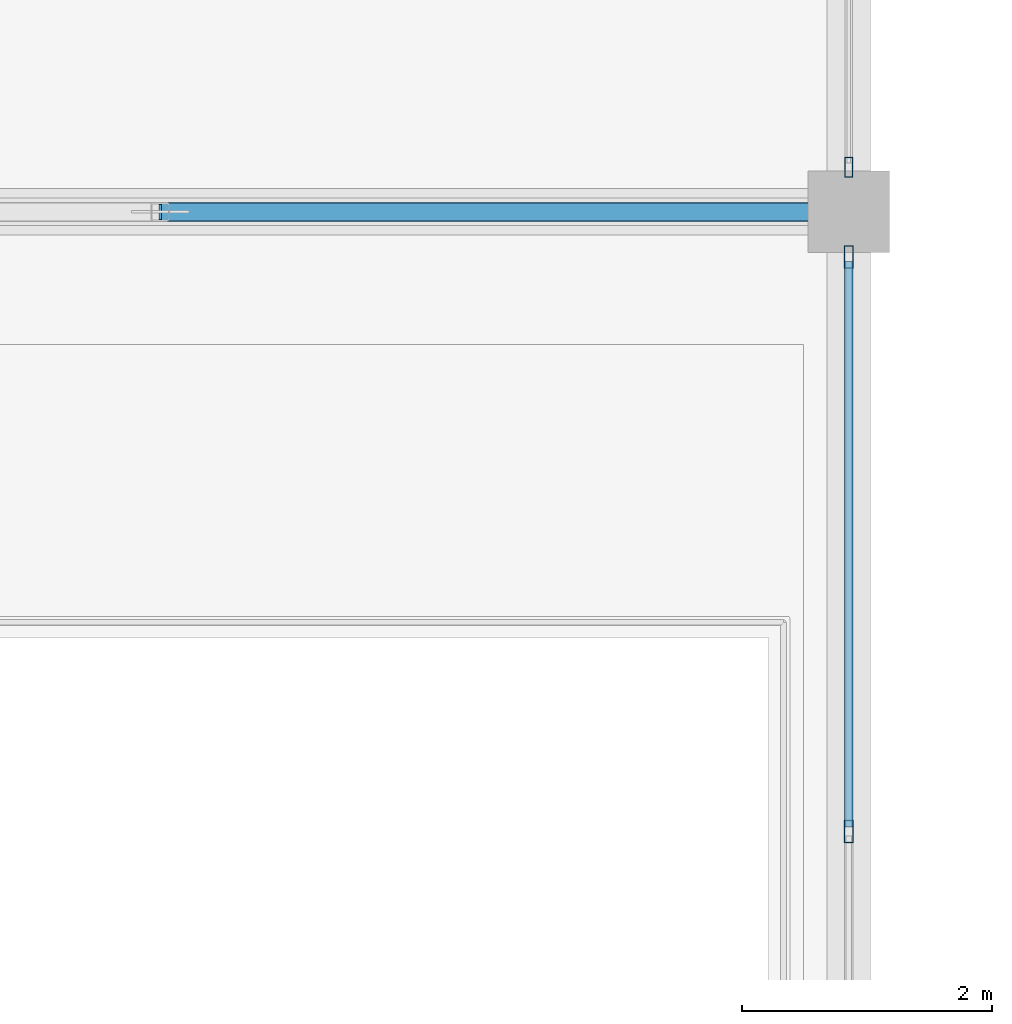
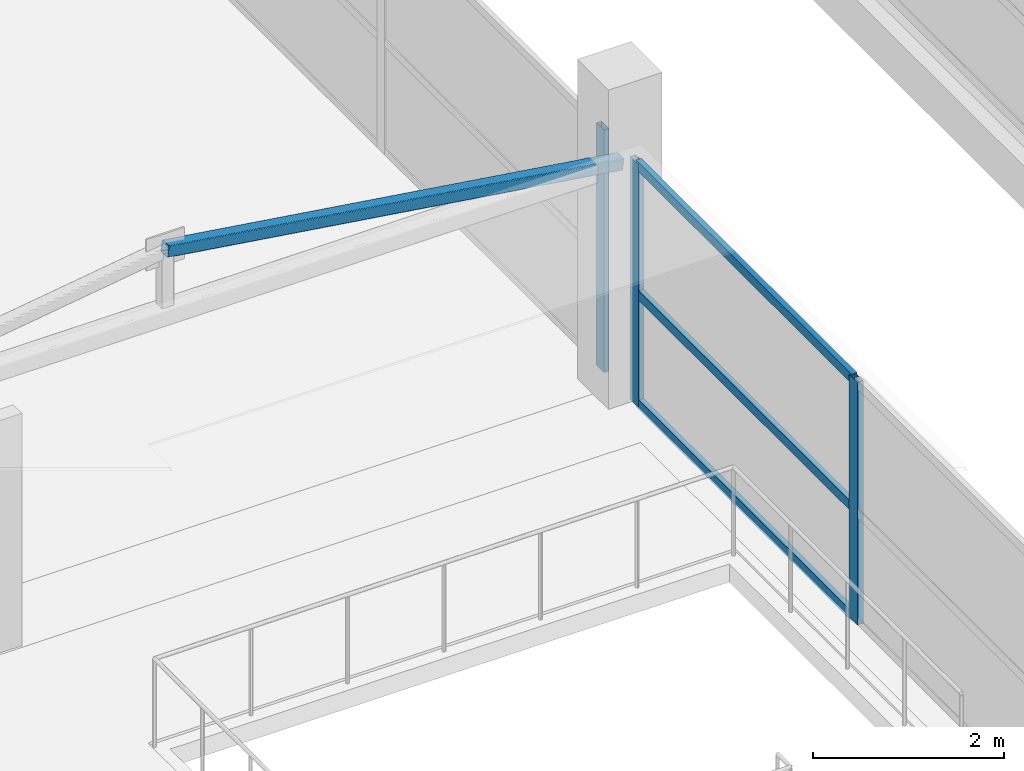
# One storey, part 25 of 66: 7 members, 2 elements without a shape of their own.
"""IFC4 building model written with IfcOpenShell, lengths in metres."""

import ifcopenshell
import ifcopenshell.guid

model = None  # the IFC model being written
_history = None  # IfcOwnerHistory: only IFC2X3 demands one
_inside = {}  # id of a spatial element -> (the spatial element, [elements in it])
_under = {}  # id of a project, library or spatial element -> (it, [spatial elements below it])
_declared = {}  # id of a project -> (the project, [libraries it declares])
_typed = {}  # id of a type object -> (the type object, [elements of that type])
_made_of = {}  # id of a material, layer set ... -> (it, [elements and type objects made of it])


def new_model(schema):
    """Start an empty IFC model of exactly this schema.

    Asked for "IFC4X3", IfcOpenShell would pick the latest addendum, in which some entities
    have other attributes; the version numbers below select the first issue.
    IFC2X3 requires an IfcOwnerHistory on every rooted entity: one is made here for all.
    """
    global model, _history
    if schema == "IFC4X3":
        model = ifcopenshell.file(schema_version=(4, 3, 0, 0))
    else:
        model = ifcopenshell.file(schema=schema)
    _inside.clear()
    _under.clear()
    _declared.clear()
    _typed.clear()
    _made_of.clear()
    _history = None
    if model.schema == "IFC2X3":
        org = make("IfcOrganization", Name="unknown")
        user = make(
            "IfcPersonAndOrganization",
            ThePerson=make("IfcPerson", FamilyName="unknown"),
            TheOrganization=org,
        )
        app = make(
            "IfcApplication",
            ApplicationDeveloper=org,
            Version="unknown",
            ApplicationFullName="unknown",
            ApplicationIdentifier="unknown",
        )
        _history = make(
            "IfcOwnerHistory",
            OwningUser=user,
            OwningApplication=app,
            ChangeAction="ADDED",
            CreationDate=0,
        )
    return model


def make(cls, **values):
    """One entity of the class cls with the attributes given. An attribute that is None is left unset."""
    return model.create_entity(
        cls, **{name: value for name, value in values.items() if value is not None}
    )


def rooted(cls, **values):
    """An entity with a GlobalId (a new one), such as an element, a storey or a relation."""
    return make(cls, GlobalId=ifcopenshell.guid.new(), OwnerHistory=_history, **values)


def si_unit(unit_type, name, prefix=None):
    """IfcSIUnit, for example si_unit("LENGTHUNIT", "METRE", prefix="MILLI")."""
    return make("IfcSIUnit", UnitType=unit_type, Prefix=prefix, Name=name)


def assignment(units):
    """IfcUnitAssignment: the units of a project."""
    return None if units is None else make("IfcUnitAssignment", Units=units)


def point(xyz):
    """IfcCartesianPoint."""
    return None if xyz is None else make("IfcCartesianPoint", Coordinates=xyz)


def direction(xyz):
    """IfcDirection."""
    return None if xyz is None else make("IfcDirection", DirectionRatios=xyz)


def frame(location, z_axis=None, x_axis=None):
    """IfcAxis2Placement3D, a coordinate frame: its origin and axes. An axis left out is left unset."""
    return make(
        "IfcAxis2Placement3D",
        Location=point(location),
        Axis=direction(z_axis),
        RefDirection=direction(x_axis),
    )


def frame_2d(location, x_axis=None):
    """IfcAxis2Placement2D, a coordinate frame in the plane: its origin and x axis."""
    return make(
        "IfcAxis2Placement2D", Location=point(location), RefDirection=direction(x_axis)
    )


def origin():
    """The frame at (0, 0, 0) with its axes left unset."""
    return frame((0.0, 0.0, 0.0))


def origin_2d():
    """The frame at (0, 0) in the plane with its x axis left unset."""
    return frame_2d((0.0, 0.0))


def place(relative_to, where):
    """IfcLocalPlacement: puts the frame where relative to a parent placement (None: the world)."""
    return make(
        "IfcLocalPlacement", PlacementRelTo=relative_to, RelativePlacement=where
    )


def context(
    kind, dimensions, precision=None, world=None, true_north=None, identifier=None
):
    """IfcGeometricRepresentationContext, for example the 3D "Model" context."""
    return make(
        "IfcGeometricRepresentationContext",
        ContextIdentifier=identifier,
        ContextType=kind,
        CoordinateSpaceDimension=dimensions,
        Precision=precision,
        WorldCoordinateSystem=world,
        TrueNorth=true_north,
    )


def subcontext(parent, identifier, kind, view, scale=None):
    """IfcGeometricRepresentationSubContext, for example "Body" below "Model"."""
    return make(
        "IfcGeometricRepresentationSubContext",
        ContextIdentifier=identifier,
        ContextType=kind,
        ParentContext=parent,
        TargetScale=scale,
        TargetView=view,
    )


def project(units=None, contexts=None):
    """IfcProject with its units and contexts."""
    return rooted(
        "IfcProject",
        Name="project",
        RepresentationContexts=contexts,
        UnitsInContext=assignment(units),
    )


def spatial(cls, under=None, at=None, **own):
    """A site, building, storey or space (cls), placed at a placement, below another one or the project."""
    s = rooted(cls, ObjectPlacement=at, **own)
    if under is not None:
        _under.setdefault(under.id(), (under, []))[1].append(s)
    return s


def profile(cls, at=None, kind="AREA", **sizes):
    """A parametric profile (cls). Its sizes go by their IFC names, for example OverallWidth=200.0."""
    return make(cls, ProfileType=kind, Position=at, **sizes)


def hollow_rectangle(**sizes):
    """IfcRectangleHollowProfileDef."""
    return profile("IfcRectangleHollowProfileDef", **sizes)


def extrude(swept, where, along, depth):
    """IfcExtrudedAreaSolid: the profile swept, set in the frame where, extruded along a direction by depth."""
    return make(
        "IfcExtrudedAreaSolid",
        SweptArea=swept,
        Position=where,
        ExtrudedDirection=direction(along),
        Depth=depth,
    )


def shape(context_of_items, identifier, shape_type, items):
    """IfcShapeRepresentation: the items that make up one representation, for example the "Body"."""
    return make(
        "IfcShapeRepresentation",
        ContextOfItems=context_of_items,
        RepresentationIdentifier=identifier,
        RepresentationType=shape_type,
        Items=items,
    )


def material(Name=None, Category=None):
    """IfcMaterial."""
    return make("IfcMaterial", Name=Name, Category=Category)


def layer(
    of_material, thickness, ventilated=None, Name=None, Category=None, Priority=None
):
    """IfcMaterialLayer: one layer of a wall or slab, of a material (None: an air gap)."""
    return make(
        "IfcMaterialLayer",
        Material=of_material,
        LayerThickness=thickness,
        IsVentilated=ventilated,
        Name=Name,
        Category=Category,
        Priority=Priority,
    )


def layer_set(layers, Name=None):
    """IfcMaterialLayerSet."""
    return make("IfcMaterialLayerSet", MaterialLayers=layers, LayerSetName=Name)


def material_profile(
    of_material, cross_section, Name=None, Category=None, Priority=None
):
    """IfcMaterialProfile: a cross section and its material."""
    return make(
        "IfcMaterialProfile",
        Name=Name,
        Material=of_material,
        Profile=cross_section,
        Priority=Priority,
        Category=Category,
    )


def profile_set(profiles, Name=None, composite=None):
    """IfcMaterialProfileSet."""
    return make(
        "IfcMaterialProfileSet",
        Name=Name,
        MaterialProfiles=profiles,
        CompositeProfile=composite,
    )


def made_of(thing, what):
    """Note that an element or type object is made of a material, layer set ...; save() writes the relation."""
    if what is not None:
        _made_of.setdefault(what.id(), (what, []))[1].append(thing)
    return thing


def type_object(cls, material=None, **own):
    """A type object (cls), such as IfcWallType, which elements share."""
    return made_of(rooted(cls, **own), material)


def element(
    cls,
    number,
    at=None,
    inside=None,
    cuts=None,
    type_object=None,
    material=None,
    context=None,
    identifier="Body",
    shape_type=None,
    held_by="IfcProductDefinitionShape",
    body=None,
    shapes=None,
    **own,
):
    """One element of the class cls, such as IfcWall. Its Tag is "e" and its number.

    at: its placement. inside: the storey or other place that contains it. cuts: it is an
    opening in that element (IfcRelVoidsElement). A single representation is given by context,
    identifier, shape_type and body (its items); several are given by shapes. held_by: the class
    of the entity that holds the representations. save() writes the other relations.
    """
    e = rooted(cls, Tag="e%d" % number, ObjectPlacement=at, **own)
    if body is not None:
        shapes = [shape(context, identifier, shape_type, body)]
    if shapes is not None:
        e.Representation = make(held_by, Representations=shapes)
    if inside is not None:
        _inside.setdefault(inside.id(), (inside, []))[1].append(e)
    if cuts is not None:
        rooted(
            "IfcRelVoidsElement", RelatingBuildingElement=cuts, RelatedOpeningElement=e
        )
    if type_object is not None:
        _typed.setdefault(type_object.id(), (type_object, []))[1].append(e)
    return made_of(e, material)


def aggregate(whole, parts):
    """IfcRelAggregates: a whole, such as a stair, and the parts it consists of."""
    return rooted("IfcRelAggregates", RelatingObject=whole, RelatedObjects=parts)


def save(model, path):
    """Write the relations noted so far, then the file.

    IfcRelAggregates (storeys below a building ...), IfcRelContainedInSpatialStructure (elements
    in a storey), IfcRelDefinesByType, IfcRelAssociatesMaterial and IfcRelDeclares: one each for
    every whole, place, type object, material and project.
    """
    for whole, parts in _under.values():
        aggregate(whole, parts)
    for where, things in _inside.values():
        rooted(
            "IfcRelContainedInSpatialStructure",
            RelatedElements=things,
            RelatingStructure=where,
        )
    for kind, things in _typed.values():
        rooted("IfcRelDefinesByType", RelatedObjects=things, RelatingType=kind)
    for what, things in _made_of.values():
        rooted("IfcRelAssociatesMaterial", RelatedObjects=things, RelatingMaterial=what)
    for by, libraries in _declared.values():
        rooted("IfcRelDeclares", RelatingContext=by, RelatedDefinitions=libraries)
    model.write(path)


model = new_model("IFC4")

# Units and contexts
model_context = context("Model", 3, precision=1e-05, world=origin(), true_north=direction((0.0, 1.0)))
body_context = subcontext(model_context, "Body", "Model", "MODEL_VIEW")
ifc_project = project(units=[si_unit("LENGTHUNIT", "METRE"), si_unit("AREAUNIT", "SQUARE_METRE"), si_unit("VOLUMEUNIT", "CUBIC_METRE"), si_unit("PLANEANGLEUNIT", "RADIAN"), si_unit("MASSUNIT", "GRAM", prefix="KILO")], contexts=[model_context])

# Site, building, storey
site_placement = place(None, origin())
site = spatial("IfcSite", under=ifc_project, at=site_placement, CompositionType="ELEMENT")
building_placement = place(site_placement, origin())
building = spatial("IfcBuilding", under=site, at=building_placement, Name="Sillaruma Civic Art Gallery", CompositionType="ELEMENT")
storey_placement = place(building_placement, frame((0.0, 0.0, 62.219970703125)))
storey = spatial("IfcBuildingStorey", under=building, at=storey_placement, Name="L12", CompositionType="ELEMENT", Elevation=62.219970703125)

# Member
ifc_material_1 = material(Name="Structural Steel ASTM A500 Gr.C", Category="steel")
ifc_material_profile_1 = material_profile(ifc_material_1, hollow_rectangle(XDim=0.14990234375, YDim=0.14990234375, WallThickness=0.010009765625, InnerFilletRadius=0.010009765625, OuterFilletRadius=0.02001953125, at=origin_2d()), Name="HSS150x150x10")
ifc_profile_set_1 = profile_set([ifc_material_profile_1], Name="Structural Steel ASTM A500 Gr.C")
member_type_1 = type_object("IfcMemberType", Name="MEM-BRACE-HSS150x150x10", PredefinedType="BRACE", material=ifc_profile_set_1)
member_1_placement = place(storey_placement, frame((86.5, 59.39990234375, 3.66796875), z_axis=(0.989384036218, 0.0, -0.145324563914), x_axis=(0.0, 1.0, 0.0)))
element("IfcMember", 1, at=member_1_placement, inside=storey, type_object=member_type_1, Name="Warren Truss Diagonal TR-L12-2-D4", PredefinedType="BRACE", context=body_context, shape_type="SweptSolid", body=[
    extrude(hollow_rectangle(XDim=0.14990234375, YDim=0.14990234375, WallThickness=0.010009765625, InnerFilletRadius=0.010009765625, OuterFilletRadius=0.02001953125, at=origin_2d()), origin(), (0.0, 0.0, 1.0), 5.55908203125),
])

# Curtain wall, member
ifc_material_2 = material(Name="Thermally Broken Extruded Aluminium 6063-T6", Category="aluminium")
ifc_layer_1 = layer(ifc_material_2, 0.159912109375, Name="Thermally Broken Extruded Aluminium 6063-T6")
ifc_layer_set_1 = layer_set([ifc_layer_1], Name="Thermally Broken Extruded Aluminium 6063-T6")
curtain_wall_type_1 = type_object("IfcCurtainWallType", Name="CW-UNI-94", PredefinedType="NOTDEFINED", material=ifc_layer_set_1)
curtain_wall_1_placement = place(storey_placement, origin())
curtain_wall_1 = element("IfcCurtainWall", 2, at=curtain_wall_1_placement, inside=storey, type_object=curtain_wall_type_1, Name="Unitised Curtain Wall CW-94 (CW-L12-WBE-5)", PredefinedType="NOTDEFINED")
ifc_material_profile_2 = material_profile(ifc_material_2, hollow_rectangle(XDim=0.06494140625, YDim=0.159912109375, WallThickness=0.00390625, at=origin_2d()), Name="CWM65x160")
ifc_profile_set_2 = profile_set([ifc_material_profile_2], Name="Thermally Broken Extruded Aluminium 6063-T6")
member_type_2 = type_object("IfcMemberType", Name="MEM-MUL-CWM65x160", PredefinedType="MULLION", material=ifc_profile_set_2)
member_2_placement = place(storey_placement, frame((92.0, 59.757568359375, 0.0), z_axis=(0.0, 0.0, 1.0), x_axis=(-1.0, 0.0, 0.0)))
member_2 = element("IfcMember", 3, at=member_2_placement, type_object=member_type_2, Name="CW-94 mullion 1", PredefinedType="MULLION", context=body_context, shape_type="SweptSolid", body=[
    extrude(hollow_rectangle(XDim=0.06494140625, YDim=0.159912109375, WallThickness=0.00390625, at=origin_2d()), origin(), (0.0, 0.0, 1.0), 3.10009765625),
])
aggregate(curtain_wall_1, [member_2])

# Curtain wall, members
ifc_layer_2 = layer(ifc_material_2, 0.179931640625, Name="Thermally Broken Extruded Aluminium 6063-T6")
ifc_layer_set_2 = layer_set([ifc_layer_2], Name="Thermally Broken Extruded Aluminium 6063-T6")
curtain_wall_type_2 = type_object("IfcCurtainWallType", Name="CW-UNI-92", PredefinedType="NOTDEFINED", material=ifc_layer_set_2)
curtain_wall_2_placement = place(storey_placement, origin())
curtain_wall_2 = element("IfcCurtainWall", 4, at=curtain_wall_2_placement, inside=storey, type_object=curtain_wall_type_2, Name="Unitised Curtain Wall CW-92 (CW-L12-WBE-4)", PredefinedType="NOTDEFINED")
ifc_material_profile_3 = material_profile(ifc_material_2, hollow_rectangle(XDim=0.070068359375, YDim=0.179931640625, WallThickness=0.00390625, at=origin_2d()), Name="CWM70x180")
ifc_profile_set_3 = profile_set([ifc_material_profile_3], Name="Thermally Broken Extruded Aluminium 6063-T6")
member_type_3 = type_object("IfcMemberType", Name="MEM-MUL-CWM70x180", PredefinedType="MULLION", material=ifc_profile_set_3)
member_3_placement = place(storey_placement, frame((92.0, 54.449951171875, 0.0), z_axis=(0.0, 0.0, 1.0), x_axis=(-1.0, 0.0, 0.0)))
member_3 = element("IfcMember", 5, at=member_3_placement, type_object=member_type_3, Name="CW-92 mullion 2", PredefinedType="MULLION", context=body_context, shape_type="SweptSolid", body=[
    extrude(hollow_rectangle(XDim=0.070068359375, YDim=0.179931640625, WallThickness=0.00390625, at=origin_2d()), origin(), (0.0, 0.0, 1.0), 3.10009765625),
])
member_4_placement = place(storey_placement, frame((92.0, 59.0400390625, 0.0), z_axis=(0.0, 0.0, 1.0), x_axis=(-1.0, 0.0, 0.0)))
member_4 = element("IfcMember", 6, at=member_4_placement, type_object=member_type_3, Name="CW-92 mullion 3", PredefinedType="MULLION", context=body_context, shape_type="SweptSolid", body=[
    extrude(hollow_rectangle(XDim=0.070068359375, YDim=0.179931640625, WallThickness=0.00390625, at=origin_2d()), origin(), (0.0, 0.0, 1.0), 3.10009765625),
])
ifc_material_profile_4 = material_profile(ifc_material_2, hollow_rectangle(XDim=0.06494140625, YDim=0.1201171875, WallThickness=0.00341796875, at=origin_2d()), Name="CWT65x120")
ifc_profile_set_4 = profile_set([ifc_material_profile_4], Name="Thermally Broken Extruded Aluminium 6063-T6")
member_type_4 = type_object("IfcMemberType", Name="MEM-TRN-CWT65x120", PredefinedType="USERDEFINED", material=ifc_profile_set_4)
member_5_placement = place(storey_placement, frame((92.0, 54.485107421875, 0.032470703125), z_axis=(0.0, 1.0, 0.0), x_axis=(-1.0, 0.0, 0.0)))
member_5 = element("IfcMember", 7, at=member_5_placement, type_object=member_type_4, Name="CW-92 transom 2.1", ObjectType="TRANSOM", PredefinedType="USERDEFINED", context=body_context, shape_type="SweptSolid", body=[
    extrude(hollow_rectangle(XDim=0.06494140625, YDim=0.1201171875, WallThickness=0.00341796875, at=origin_2d()), origin(), (0.0, 0.0, 1.0), 4.519775390625),
])
member_6_placement = place(storey_placement, frame((92.0, 54.485107421875, 1.426025390625), z_axis=(0.0, 1.0, 0.0), x_axis=(-1.0, 0.0, 0.0)))
member_6 = element("IfcMember", 8, at=member_6_placement, type_object=member_type_4, Name="CW-92 transom 2.2", ObjectType="TRANSOM", PredefinedType="USERDEFINED", context=body_context, shape_type="SweptSolid", body=[
    extrude(hollow_rectangle(XDim=0.06494140625, YDim=0.1201171875, WallThickness=0.00341796875, at=origin_2d()), origin(), (0.0, 0.0, 1.0), 4.519775390625),
])
member_7_placement = place(storey_placement, frame((92.0, 54.485107421875, 3.067626953125), z_axis=(0.0, 1.0, 0.0), x_axis=(-1.0, 0.0, 0.0)))
member_7 = element("IfcMember", 9, at=member_7_placement, type_object=member_type_4, Name="CW-92 transom 2.3", ObjectType="TRANSOM", PredefinedType="USERDEFINED", context=body_context, shape_type="SweptSolid", body=[
    extrude(hollow_rectangle(XDim=0.06494140625, YDim=0.1201171875, WallThickness=0.00341796875, at=origin_2d()), origin(), (0.0, 0.0, 1.0), 4.519775390625),
])
aggregate(curtain_wall_2, [member_3, member_4, member_5, member_6, member_7])

save(model, "model.ifc")
